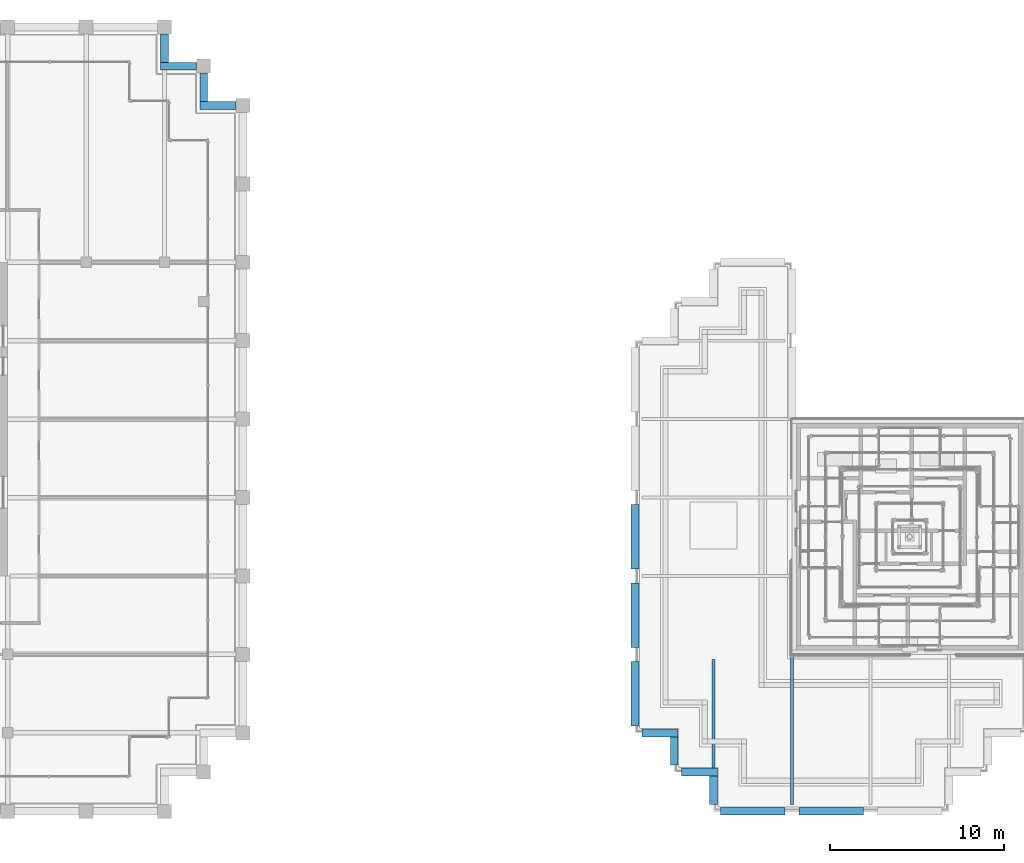
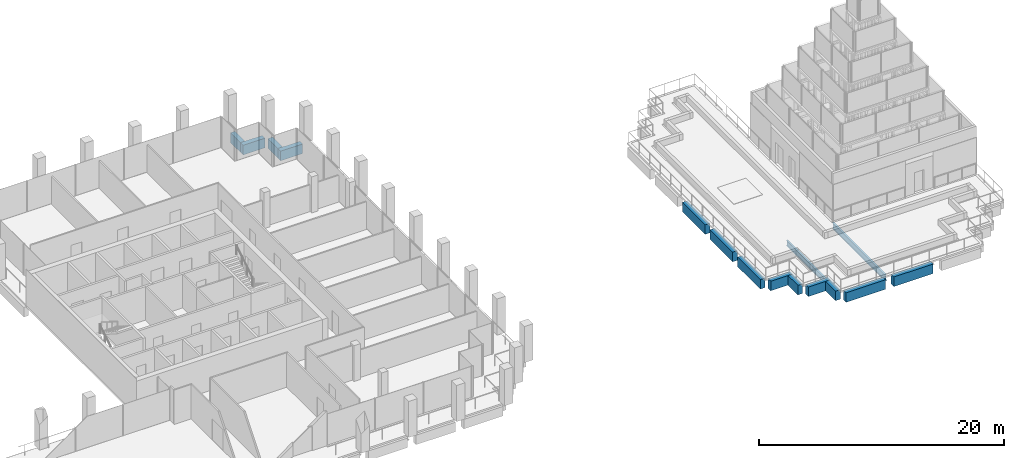
# One storey, part 29 of 62: 15 beams.
"""IFC4 building model written with IfcOpenShell, lengths in metres."""

from ifc_helpers import new_model, si_unit, direction, frame, origin, origin_2d, place, context, subcontext, project, spatial, rectangle, i_section, extrude, material, material_profile, profile_set, type_object, element, save


model = new_model("IFC4")

# Units and contexts
model_context = context("Model", 3, precision=1e-05, world=origin(), true_north=direction((0.0, 1.0)))
body_context = subcontext(model_context, "Body", "Model", "MODEL_VIEW")
ifc_project = project(units=[si_unit("LENGTHUNIT", "METRE"), si_unit("AREAUNIT", "SQUARE_METRE"), si_unit("VOLUMEUNIT", "CUBIC_METRE"), si_unit("PLANEANGLEUNIT", "RADIAN"), si_unit("MASSUNIT", "GRAM", prefix="KILO")], contexts=[model_context])

# Site, building, storey
site_placement = place(None, origin())
site = spatial("IfcSite", under=ifc_project, at=site_placement, CompositionType="ELEMENT")
building_placement = place(site_placement, origin())
building = spatial("IfcBuilding", under=site, at=building_placement, Name="Altepetl Exchange Towers", CompositionType="ELEMENT")
storey_placement = place(building_placement, frame((0.0, 0.0, 210.0)))
storey = spatial("IfcBuildingStorey", under=building, at=storey_placement, Name="L53", CompositionType="ELEMENT", Elevation=210.0)

# Beams
ifc_material_1 = material(Name="Steel S355", Category="steel")
ifc_material_profile_1 = material_profile(ifc_material_1, i_section(OverallWidth=0.166015625, OverallDepth=0.529052734375, WebThickness=0.009765625, FlangeThickness=0.013671875, at=origin_2d()), Name="W21X50")
ifc_profile_set_1 = profile_set([ifc_material_profile_1], Name="Steel S355")
beam_type_1 = type_object("IfcBeamType", Name="Floor beam W21X50", PredefinedType="BEAM", material=ifc_profile_set_1)
beam_1_placement = place(storey_placement, frame((99.0, 29.47509765625, -0.41455078125), z_axis=(0.0, 1.0, 0.0), x_axis=(-1.0, 0.0, 0.0)))
element("IfcBeam", 1, at=beam_1_placement, inside=storey, type_object=beam_type_1, Name="bm:B:L53:t000", PredefinedType="BEAM", context=body_context, shape_type="SweptSolid", body=[
    extrude(i_section(OverallWidth=0.166015625, OverallDepth=0.529052734375, WebThickness=0.009765625, FlangeThickness=0.013671875, at=origin_2d()), origin(), (0.0, 0.0, 1.0), 6.224853515625),
])
ifc_material_profile_2 = material_profile(ifc_material_1, i_section(OverallWidth=0.177978515625, OverallDepth=0.59912109375, WebThickness=0.010009765625, FlangeThickness=0.0126953125, at=origin_2d()), Name="W24X55")
ifc_profile_set_2 = profile_set([ifc_material_profile_2], Name="Steel S355")
beam_type_2 = type_object("IfcBeamType", Name="Floor beam W24X55", PredefinedType="BEAM", material=ifc_profile_set_2)
beam_2_placement = place(storey_placement, frame((103.5, 27.39990234375, -0.449462890625), z_axis=(0.0, 1.0, 0.0), x_axis=(-1.0, 0.0, 0.0)))
element("IfcBeam", 2, at=beam_2_placement, inside=storey, type_object=beam_type_2, Name="bm:B:L53:t001", PredefinedType="BEAM", context=body_context, shape_type="SweptSolid", body=[
    extrude(i_section(OverallWidth=0.177978515625, OverallDepth=0.59912109375, WebThickness=0.010009765625, FlangeThickness=0.0126953125, at=origin_2d()), origin(), (0.0, 0.0, 1.0), 8.60009765625),
])
ifc_material_2 = material(Name="Concrete C50/60 precast with cantera rosa facing", Category="concrete")
ifc_material_profile_3 = material_profile(ifc_material_2, rectangle(XDim=0.449951171875, YDim=0.949951171875, at=origin_2d()), Name="450 x 950")
ifc_profile_set_3 = profile_set([ifc_material_profile_3], Name="Concrete C50/60 precast with cantera rosa facing")
beam_type_3 = type_object("IfcBeamType", Name="Spandrel beam 450x950 cantera rosa", PredefinedType="SPANDREL", material=ifc_profile_set_3)
beam_3_placement = place(storey_placement, frame((71.60009765625, 67.5, -0.625), z_axis=(-1.0, 0.0, 0.0), x_axis=(0.0, -1.0, 0.0)))
element("IfcBeam", 3, at=beam_3_placement, inside=storey, type_object=beam_type_3, Name="sp:A:L53:020", PredefinedType="SPANDREL", context=body_context, shape_type="SweptSolid", body=[
    extrude(rectangle(XDim=0.449951171875, YDim=0.949951171875, at=origin_2d()), origin(), (0.0, 0.0, 1.0), 2.0751953125),
])
beam_4_placement = place(storey_placement, frame((69.75, 67.72509765625, -0.625), z_axis=(0.0, 1.0, 0.0), x_axis=(-1.0, 0.0, 0.0)))
element("IfcBeam", 4, at=beam_4_placement, inside=storey, type_object=beam_type_3, Name="sp:A:L53:021", PredefinedType="SPANDREL", context=body_context, shape_type="SweptSolid", body=[
    extrude(rectangle(XDim=0.449951171875, YDim=0.949951171875, at=origin_2d()), origin(), (0.0, 0.0, 1.0), 1.625),
])
beam_5_placement = place(storey_placement, frame((69.35009765625, 69.75, -0.625), z_axis=(-1.0, 0.0, 0.0), x_axis=(0.0, -1.0, 0.0)))
element("IfcBeam", 5, at=beam_5_placement, inside=storey, type_object=beam_type_3, Name="sp:A:L53:022", PredefinedType="SPANDREL", context=body_context, shape_type="SweptSolid", body=[
    extrude(rectangle(XDim=0.449951171875, YDim=0.949951171875, at=origin_2d()), origin(), (0.0, 0.0, 1.0), 2.0751953125),
])
beam_6_placement = place(storey_placement, frame((67.5, 69.97509765625, -0.625), z_axis=(0.0, 1.0, 0.0), x_axis=(-1.0, 0.0, 0.0)))
element("IfcBeam", 6, at=beam_6_placement, inside=storey, type_object=beam_type_3, Name="sp:A:L53:023", PredefinedType="SPANDREL", context=body_context, shape_type="SweptSolid", body=[
    extrude(rectangle(XDim=0.449951171875, YDim=0.949951171875, at=origin_2d()), origin(), (0.0, 0.0, 1.0), 1.625),
])
for number, where, z_axis, x_axis, name in (
    (7, (94.5, 44.60009765625, -0.625), (0.0, -1.0, 0.0), (1.0, 0.0, 0.0), "sp:B:L53:t017"),
    (8, (94.5, 40.10009765625, -0.625), (0.0, -1.0, 0.0), (1.0, 0.0, 0.0), "sp:B:L53:t018"),
):
    element("IfcBeam", number, at=place(storey_placement, frame(where, z_axis=z_axis, x_axis=x_axis)), inside=storey, type_object=beam_type_3, Name=name, PredefinedType="SPANDREL", context=body_context, shape_type="SweptSolid", body=[
        extrude(rectangle(XDim=0.449951171875, YDim=0.949951171875, at=origin_2d()), origin(), (0.0, 0.0, 1.0), 3.7001953125),
    ])
ifc_material_3 = material(Name="Concrete C50/60 precast with tezontle facing", Category="concrete")
ifc_material_profile_4 = material_profile(ifc_material_3, rectangle(XDim=0.449951171875, YDim=0.949951171875, at=origin_2d()), Name="450 x 950")
ifc_profile_set_4 = profile_set([ifc_material_profile_4], Name="Concrete C50/60 precast with tezontle facing")
beam_type_4 = type_object("IfcBeamType", Name="Spandrel beam 450x950 tezontle", PredefinedType="SPANDREL", material=ifc_profile_set_4)
for number, where, z_axis, x_axis, name in (
    (9, (99.39990234375, 27.0, -0.625), (1.0, 0.0, 0.0), (0.0, 1.0, 0.0), "sp:B:L53:t000"),
    (10, (103.89990234375, 27.0, -0.625), (1.0, 0.0, 0.0), (0.0, 1.0, 0.0), "sp:B:L53:t001"),
    (11, (94.5, 35.60009765625, -0.625), (0.0, -1.0, 0.0), (1.0, 0.0, 0.0), "sp:B:L53:t019"),
):
    element("IfcBeam", number, at=place(storey_placement, frame(where, z_axis=z_axis, x_axis=x_axis)), inside=storey, type_object=beam_type_4, Name=name, PredefinedType="SPANDREL", context=body_context, shape_type="SweptSolid", body=[
        extrude(rectangle(XDim=0.449951171875, YDim=0.949951171875, at=origin_2d()), origin(), (0.0, 0.0, 1.0), 3.7001953125),
    ])
beam_7_placement = place(storey_placement, frame((94.89990234375, 31.5, -0.625), z_axis=(1.0, 0.0, 0.0), x_axis=(0.0, 1.0, 0.0)))
element("IfcBeam", 12, at=beam_7_placement, inside=storey, type_object=beam_type_4, Name="sp:B:L53:t020", PredefinedType="SPANDREL", context=body_context, shape_type="SweptSolid", body=[
    extrude(rectangle(XDim=0.449951171875, YDim=0.949951171875, at=origin_2d()), origin(), (0.0, 0.0, 1.0), 2.0751953125),
])
beam_8_placement = place(storey_placement, frame((96.75, 31.27490234375, -0.625), z_axis=(0.0, -1.0, 0.0), x_axis=(1.0, 0.0, 0.0)))
element("IfcBeam", 13, at=beam_8_placement, inside=storey, type_object=beam_type_4, Name="sp:B:L53:t021", PredefinedType="SPANDREL", context=body_context, shape_type="SweptSolid", body=[
    extrude(rectangle(XDim=0.449951171875, YDim=0.949951171875, at=origin_2d()), origin(), (0.0, 0.0, 1.0), 1.625),
])
beam_9_placement = place(storey_placement, frame((97.14990234375, 29.25, -0.625), z_axis=(1.0, 0.0, 0.0), x_axis=(0.0, 1.0, 0.0)))
element("IfcBeam", 14, at=beam_9_placement, inside=storey, type_object=beam_type_4, Name="sp:B:L53:t022", PredefinedType="SPANDREL", context=body_context, shape_type="SweptSolid", body=[
    extrude(rectangle(XDim=0.449951171875, YDim=0.949951171875, at=origin_2d()), origin(), (0.0, 0.0, 1.0), 2.0751953125),
])
beam_10_placement = place(storey_placement, frame((99.0, 29.02490234375, -0.625), z_axis=(0.0, -1.0, 0.0), x_axis=(1.0, 0.0, 0.0)))
element("IfcBeam", 15, at=beam_10_placement, inside=storey, type_object=beam_type_4, Name="sp:B:L53:t023", PredefinedType="SPANDREL", context=body_context, shape_type="SweptSolid", body=[
    extrude(rectangle(XDim=0.449951171875, YDim=0.949951171875, at=origin_2d()), origin(), (0.0, 0.0, 1.0), 1.625),
])

save(model, "model.ifc")
